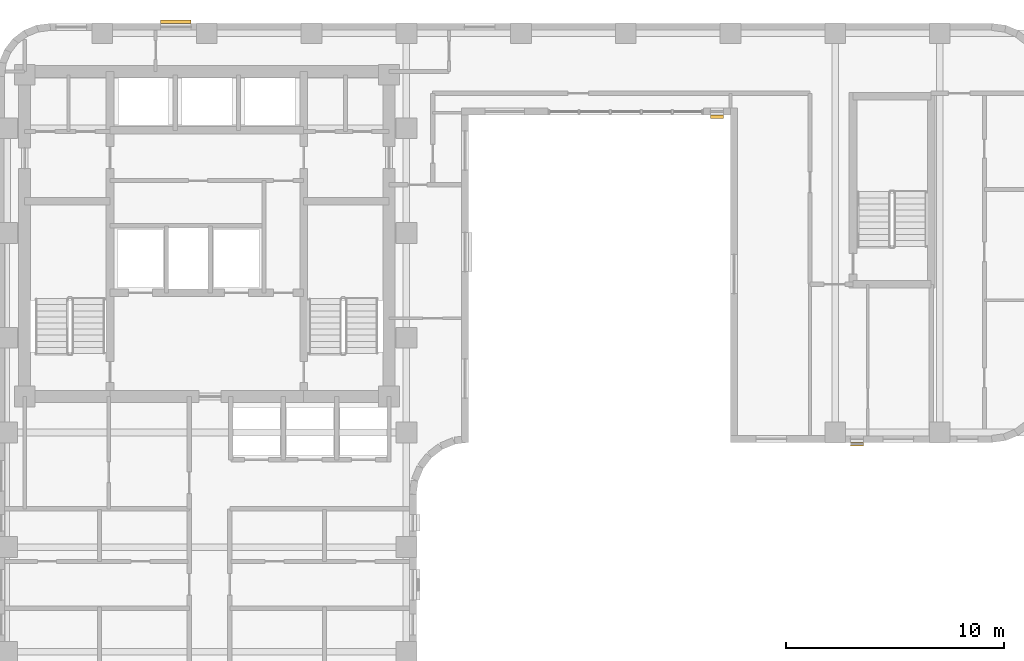
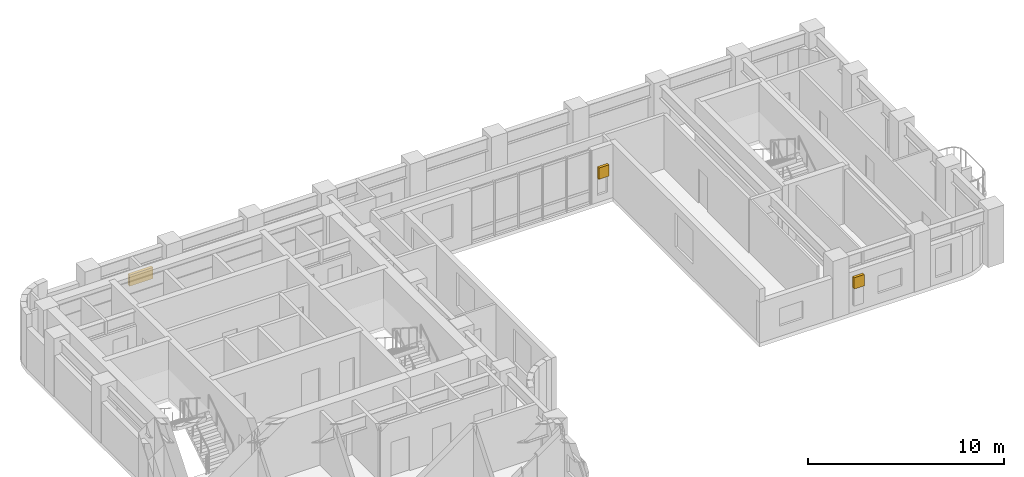
# One storey, part 11 of 11: 3 shading devices.
"""IFC4 building model written with IfcOpenShell, lengths in metres."""

import ifcopenshell
import ifcopenshell.guid

model = None  # the IFC model being written
_history = None  # IfcOwnerHistory: only IFC2X3 demands one
_inside = {}  # id of a spatial element -> (the spatial element, [elements in it])
_under = {}  # id of a project, library or spatial element -> (it, [spatial elements below it])
_declared = {}  # id of a project -> (the project, [libraries it declares])
_typed = {}  # id of a type object -> (the type object, [elements of that type])
_made_of = {}  # id of a material, layer set ... -> (it, [elements and type objects made of it])


def new_model(schema):
    """Start an empty IFC model of exactly this schema.

    Asked for "IFC4X3", IfcOpenShell would pick the latest addendum, in which some entities
    have other attributes; the version numbers below select the first issue.
    IFC2X3 requires an IfcOwnerHistory on every rooted entity: one is made here for all.
    """
    global model, _history
    if schema == "IFC4X3":
        model = ifcopenshell.file(schema_version=(4, 3, 0, 0))
    else:
        model = ifcopenshell.file(schema=schema)
    _inside.clear()
    _under.clear()
    _declared.clear()
    _typed.clear()
    _made_of.clear()
    _history = None
    if model.schema == "IFC2X3":
        org = make("IfcOrganization", Name="unknown")
        user = make(
            "IfcPersonAndOrganization",
            ThePerson=make("IfcPerson", FamilyName="unknown"),
            TheOrganization=org,
        )
        app = make(
            "IfcApplication",
            ApplicationDeveloper=org,
            Version="unknown",
            ApplicationFullName="unknown",
            ApplicationIdentifier="unknown",
        )
        _history = make(
            "IfcOwnerHistory",
            OwningUser=user,
            OwningApplication=app,
            ChangeAction="ADDED",
            CreationDate=0,
        )
    return model


def make(cls, **values):
    """One entity of the class cls with the attributes given. An attribute that is None is left unset."""
    return model.create_entity(
        cls, **{name: value for name, value in values.items() if value is not None}
    )


def rooted(cls, **values):
    """An entity with a GlobalId (a new one), such as an element, a storey or a relation."""
    return make(cls, GlobalId=ifcopenshell.guid.new(), OwnerHistory=_history, **values)


def si_unit(unit_type, name, prefix=None):
    """IfcSIUnit, for example si_unit("LENGTHUNIT", "METRE", prefix="MILLI")."""
    return make("IfcSIUnit", UnitType=unit_type, Prefix=prefix, Name=name)


def assignment(units):
    """IfcUnitAssignment: the units of a project."""
    return None if units is None else make("IfcUnitAssignment", Units=units)


def point(xyz):
    """IfcCartesianPoint."""
    return None if xyz is None else make("IfcCartesianPoint", Coordinates=xyz)


def direction(xyz):
    """IfcDirection."""
    return None if xyz is None else make("IfcDirection", DirectionRatios=xyz)


def frame(location, z_axis=None, x_axis=None):
    """IfcAxis2Placement3D, a coordinate frame: its origin and axes. An axis left out is left unset."""
    return make(
        "IfcAxis2Placement3D",
        Location=point(location),
        Axis=direction(z_axis),
        RefDirection=direction(x_axis),
    )


def frame_2d(location, x_axis=None):
    """IfcAxis2Placement2D, a coordinate frame in the plane: its origin and x axis."""
    return make(
        "IfcAxis2Placement2D", Location=point(location), RefDirection=direction(x_axis)
    )


def origin():
    """The frame at (0, 0, 0) with its axes left unset."""
    return frame((0.0, 0.0, 0.0))


def origin_2d():
    """The frame at (0, 0) in the plane with its x axis left unset."""
    return frame_2d((0.0, 0.0))


def place(relative_to, where):
    """IfcLocalPlacement: puts the frame where relative to a parent placement (None: the world)."""
    return make(
        "IfcLocalPlacement", PlacementRelTo=relative_to, RelativePlacement=where
    )


def context(
    kind, dimensions, precision=None, world=None, true_north=None, identifier=None
):
    """IfcGeometricRepresentationContext, for example the 3D "Model" context."""
    return make(
        "IfcGeometricRepresentationContext",
        ContextIdentifier=identifier,
        ContextType=kind,
        CoordinateSpaceDimension=dimensions,
        Precision=precision,
        WorldCoordinateSystem=world,
        TrueNorth=true_north,
    )


def subcontext(parent, identifier, kind, view, scale=None):
    """IfcGeometricRepresentationSubContext, for example "Body" below "Model"."""
    return make(
        "IfcGeometricRepresentationSubContext",
        ContextIdentifier=identifier,
        ContextType=kind,
        ParentContext=parent,
        TargetScale=scale,
        TargetView=view,
    )


def project(units=None, contexts=None):
    """IfcProject with its units and contexts."""
    return rooted(
        "IfcProject",
        Name="project",
        RepresentationContexts=contexts,
        UnitsInContext=assignment(units),
    )


def spatial(cls, under=None, at=None, **own):
    """A site, building, storey or space (cls), placed at a placement, below another one or the project."""
    s = rooted(cls, ObjectPlacement=at, **own)
    if under is not None:
        _under.setdefault(under.id(), (under, []))[1].append(s)
    return s


def profile(cls, at=None, kind="AREA", **sizes):
    """A parametric profile (cls). Its sizes go by their IFC names, for example OverallWidth=200.0."""
    return make(cls, ProfileType=kind, Position=at, **sizes)


def rectangle(**sizes):
    """IfcRectangleProfileDef."""
    return profile("IfcRectangleProfileDef", **sizes)


def extrude(swept, where, along, depth):
    """IfcExtrudedAreaSolid: the profile swept, set in the frame where, extruded along a direction by depth."""
    return make(
        "IfcExtrudedAreaSolid",
        SweptArea=swept,
        Position=where,
        ExtrudedDirection=direction(along),
        Depth=depth,
    )


def shape(context_of_items, identifier, shape_type, items):
    """IfcShapeRepresentation: the items that make up one representation, for example the "Body"."""
    return make(
        "IfcShapeRepresentation",
        ContextOfItems=context_of_items,
        RepresentationIdentifier=identifier,
        RepresentationType=shape_type,
        Items=items,
    )


def material(Name=None, Category=None):
    """IfcMaterial."""
    return make("IfcMaterial", Name=Name, Category=Category)


def made_of(thing, what):
    """Note that an element or type object is made of a material, layer set ...; save() writes the relation."""
    if what is not None:
        _made_of.setdefault(what.id(), (what, []))[1].append(thing)
    return thing


def type_object(cls, material=None, **own):
    """A type object (cls), such as IfcWallType, which elements share."""
    return made_of(rooted(cls, **own), material)


def element(
    cls,
    number,
    at=None,
    inside=None,
    cuts=None,
    type_object=None,
    material=None,
    context=None,
    identifier="Body",
    shape_type=None,
    held_by="IfcProductDefinitionShape",
    body=None,
    shapes=None,
    **own,
):
    """One element of the class cls, such as IfcWall. Its Tag is "e" and its number.

    at: its placement. inside: the storey or other place that contains it. cuts: it is an
    opening in that element (IfcRelVoidsElement). A single representation is given by context,
    identifier, shape_type and body (its items); several are given by shapes. held_by: the class
    of the entity that holds the representations. save() writes the other relations.
    """
    e = rooted(cls, Tag="e%d" % number, ObjectPlacement=at, **own)
    if body is not None:
        shapes = [shape(context, identifier, shape_type, body)]
    if shapes is not None:
        e.Representation = make(held_by, Representations=shapes)
    if inside is not None:
        _inside.setdefault(inside.id(), (inside, []))[1].append(e)
    if cuts is not None:
        rooted(
            "IfcRelVoidsElement", RelatingBuildingElement=cuts, RelatedOpeningElement=e
        )
    if type_object is not None:
        _typed.setdefault(type_object.id(), (type_object, []))[1].append(e)
    return made_of(e, material)


def aggregate(whole, parts):
    """IfcRelAggregates: a whole, such as a stair, and the parts it consists of."""
    return rooted("IfcRelAggregates", RelatingObject=whole, RelatedObjects=parts)


def save(model, path):
    """Write the relations noted so far, then the file.

    IfcRelAggregates (storeys below a building ...), IfcRelContainedInSpatialStructure (elements
    in a storey), IfcRelDefinesByType, IfcRelAssociatesMaterial and IfcRelDeclares: one each for
    every whole, place, type object, material and project.
    """
    for whole, parts in _under.values():
        aggregate(whole, parts)
    for where, things in _inside.values():
        rooted(
            "IfcRelContainedInSpatialStructure",
            RelatedElements=things,
            RelatingStructure=where,
        )
    for kind, things in _typed.values():
        rooted("IfcRelDefinesByType", RelatedObjects=things, RelatingType=kind)
    for what, things in _made_of.values():
        rooted("IfcRelAssociatesMaterial", RelatedObjects=things, RelatingMaterial=what)
    for by, libraries in _declared.values():
        rooted("IfcRelDeclares", RelatingContext=by, RelatedDefinitions=libraries)
    model.write(path)


model = new_model("IFC4")

# Units and contexts
model_context = context("Model", 3, precision=1e-05, world=origin(), true_north=direction((0.0, 1.0)))
body_context = subcontext(model_context, "Body", "Model", "MODEL_VIEW")
ifc_project = project(units=[si_unit("LENGTHUNIT", "METRE"), si_unit("AREAUNIT", "SQUARE_METRE"), si_unit("VOLUMEUNIT", "CUBIC_METRE"), si_unit("PLANEANGLEUNIT", "RADIAN"), si_unit("MASSUNIT", "GRAM", prefix="KILO")], contexts=[model_context])

# Site, building, storey
site_placement = place(None, origin())
site = spatial("IfcSite", under=ifc_project, at=site_placement, CompositionType="ELEMENT")
building_placement = place(site_placement, origin())
building = spatial("IfcBuilding", under=site, at=building_placement, Name="Orvandelia Arch Residences", CompositionType="ELEMENT")
storey_placement = place(building_placement, frame((0.0, 0.0, 168.39990234375)))
storey = spatial("IfcBuildingStorey", under=building, at=storey_placement, Name="L44", CompositionType="ELEMENT", Elevation=168.39990234375)

# Shading devices
ifc_material = material(Name="Anodised Champagne-Bronze Extruded Aluminium", Category="aluminium")
shading_device_type = type_object("IfcShadingDeviceType", Name="SHD-JALOUSIE-SCREEN", PredefinedType="JALOUSIE", material=ifc_material)
shading_device_placement = place(storey_placement, frame((12.9775390625, 48.080078125, 1.05029296875), z_axis=(0.0, 0.0, 1.0), x_axis=(1.0, 0.0, 0.0)))
element("IfcShadingDevice", 1, at=shading_device_placement, inside=storey, type_object=shading_device_type, Name="Bronze Jalousie Sun-Shade L44-001", PredefinedType="JALOUSIE", context=body_context, shape_type="SweptSolid", body=[
    extrude(rectangle(XDim=1.39990234375, YDim=0.159912109375, at=origin_2d()), origin(), (0.0, 0.0, 1.0), 0.699951171875),
])
for number, where, z_axis, x_axis, name in (
    (2, (44.197509765625, 28.719970703125, 1.55029296875), (0.0, 0.0, 1.0), (-1.0, 0.0, 0.0), "Bronze Jalousie Sun-Shade L44-003"),
    (3, (37.780029296875, 43.719970703125, 1.55029296875), (0.0, 0.0, 1.0), (-1.0, 0.0, 0.0), "Bronze Jalousie Sun-Shade L44-004"),
):
    element("IfcShadingDevice", number, at=place(storey_placement, frame(where, z_axis=z_axis, x_axis=x_axis)), inside=storey, type_object=shading_device_type, Name=name, PredefinedType="JALOUSIE", context=body_context, shape_type="SweptSolid", body=[
        extrude(rectangle(XDim=0.60009765625, YDim=0.159912109375, at=origin_2d()), origin(), (0.0, 0.0, 1.0), 0.699951171875),
    ])

save(model, "model.ifc")
